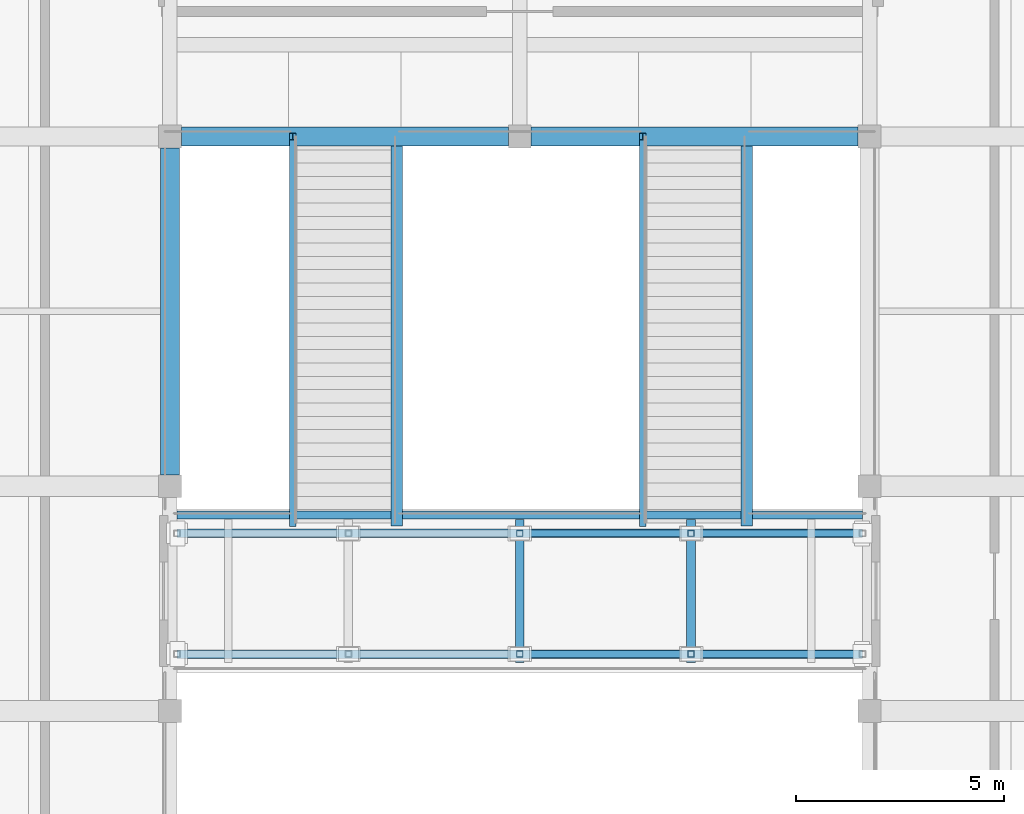
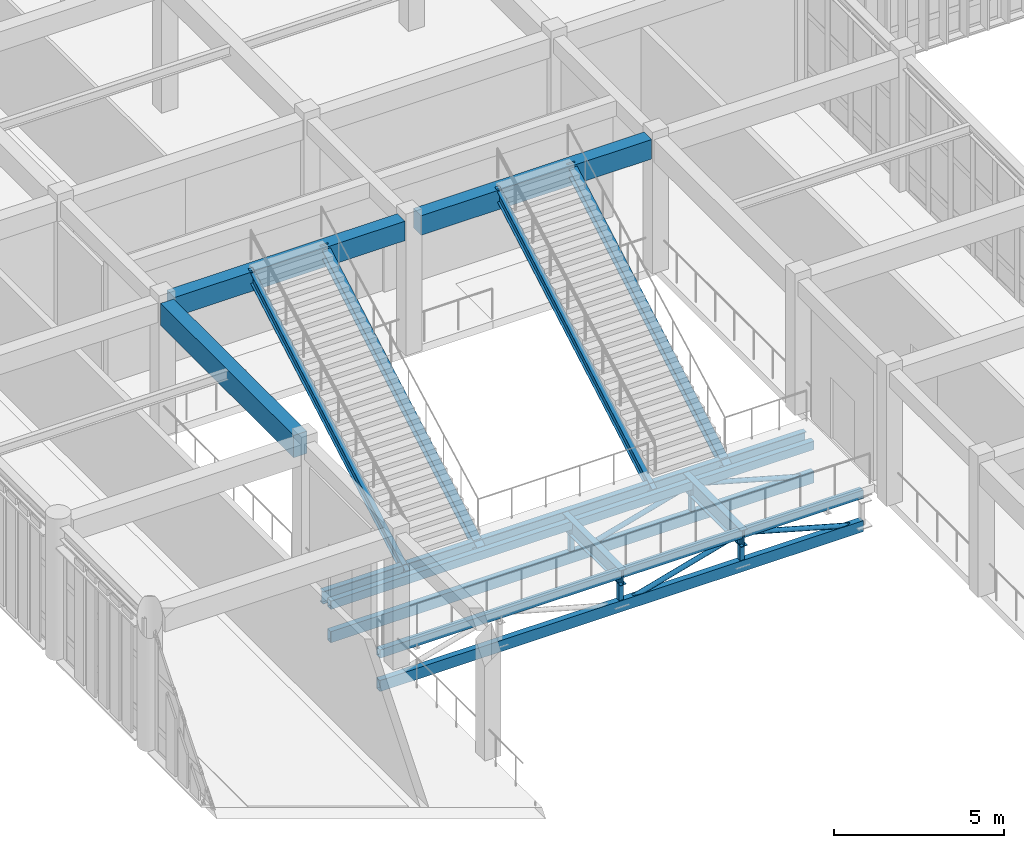
# One storey, part 33 of 106: 16 members, 6 beams.
"""IFC4 building model written with IfcOpenShell, lengths in metres."""

import ifcopenshell
import ifcopenshell.guid

model = None  # the IFC model being written
_history = None  # IfcOwnerHistory: only IFC2X3 demands one
_inside = {}  # id of a spatial element -> (the spatial element, [elements in it])
_under = {}  # id of a project, library or spatial element -> (it, [spatial elements below it])
_declared = {}  # id of a project -> (the project, [libraries it declares])
_typed = {}  # id of a type object -> (the type object, [elements of that type])
_made_of = {}  # id of a material, layer set ... -> (it, [elements and type objects made of it])


def new_model(schema):
    """Start an empty IFC model of exactly this schema.

    Asked for "IFC4X3", IfcOpenShell would pick the latest addendum, in which some entities
    have other attributes; the version numbers below select the first issue.
    IFC2X3 requires an IfcOwnerHistory on every rooted entity: one is made here for all.
    """
    global model, _history
    if schema == "IFC4X3":
        model = ifcopenshell.file(schema_version=(4, 3, 0, 0))
    else:
        model = ifcopenshell.file(schema=schema)
    _inside.clear()
    _under.clear()
    _declared.clear()
    _typed.clear()
    _made_of.clear()
    _history = None
    if model.schema == "IFC2X3":
        org = make("IfcOrganization", Name="unknown")
        user = make(
            "IfcPersonAndOrganization",
            ThePerson=make("IfcPerson", FamilyName="unknown"),
            TheOrganization=org,
        )
        app = make(
            "IfcApplication",
            ApplicationDeveloper=org,
            Version="unknown",
            ApplicationFullName="unknown",
            ApplicationIdentifier="unknown",
        )
        _history = make(
            "IfcOwnerHistory",
            OwningUser=user,
            OwningApplication=app,
            ChangeAction="ADDED",
            CreationDate=0,
        )
    return model


def make(cls, **values):
    """One entity of the class cls with the attributes given. An attribute that is None is left unset."""
    return model.create_entity(
        cls, **{name: value for name, value in values.items() if value is not None}
    )


def rooted(cls, **values):
    """An entity with a GlobalId (a new one), such as an element, a storey or a relation."""
    return make(cls, GlobalId=ifcopenshell.guid.new(), OwnerHistory=_history, **values)


def si_unit(unit_type, name, prefix=None):
    """IfcSIUnit, for example si_unit("LENGTHUNIT", "METRE", prefix="MILLI")."""
    return make("IfcSIUnit", UnitType=unit_type, Prefix=prefix, Name=name)


def assignment(units):
    """IfcUnitAssignment: the units of a project."""
    return None if units is None else make("IfcUnitAssignment", Units=units)


def point(xyz):
    """IfcCartesianPoint."""
    return None if xyz is None else make("IfcCartesianPoint", Coordinates=xyz)


def direction(xyz):
    """IfcDirection."""
    return None if xyz is None else make("IfcDirection", DirectionRatios=xyz)


def frame(location, z_axis=None, x_axis=None):
    """IfcAxis2Placement3D, a coordinate frame: its origin and axes. An axis left out is left unset."""
    return make(
        "IfcAxis2Placement3D",
        Location=point(location),
        Axis=direction(z_axis),
        RefDirection=direction(x_axis),
    )


def frame_2d(location, x_axis=None):
    """IfcAxis2Placement2D, a coordinate frame in the plane: its origin and x axis."""
    return make(
        "IfcAxis2Placement2D", Location=point(location), RefDirection=direction(x_axis)
    )


def origin():
    """The frame at (0, 0, 0) with its axes left unset."""
    return frame((0.0, 0.0, 0.0))


def origin_2d():
    """The frame at (0, 0) in the plane with its x axis left unset."""
    return frame_2d((0.0, 0.0))


def place(relative_to, where):
    """IfcLocalPlacement: puts the frame where relative to a parent placement (None: the world)."""
    return make(
        "IfcLocalPlacement", PlacementRelTo=relative_to, RelativePlacement=where
    )


def context(
    kind, dimensions, precision=None, world=None, true_north=None, identifier=None
):
    """IfcGeometricRepresentationContext, for example the 3D "Model" context."""
    return make(
        "IfcGeometricRepresentationContext",
        ContextIdentifier=identifier,
        ContextType=kind,
        CoordinateSpaceDimension=dimensions,
        Precision=precision,
        WorldCoordinateSystem=world,
        TrueNorth=true_north,
    )


def subcontext(parent, identifier, kind, view, scale=None):
    """IfcGeometricRepresentationSubContext, for example "Body" below "Model"."""
    return make(
        "IfcGeometricRepresentationSubContext",
        ContextIdentifier=identifier,
        ContextType=kind,
        ParentContext=parent,
        TargetScale=scale,
        TargetView=view,
    )


def project(units=None, contexts=None):
    """IfcProject with its units and contexts."""
    return rooted(
        "IfcProject",
        Name="project",
        RepresentationContexts=contexts,
        UnitsInContext=assignment(units),
    )


def spatial(cls, under=None, at=None, **own):
    """A site, building, storey or space (cls), placed at a placement, below another one or the project."""
    s = rooted(cls, ObjectPlacement=at, **own)
    if under is not None:
        _under.setdefault(under.id(), (under, []))[1].append(s)
    return s


def profile(cls, at=None, kind="AREA", **sizes):
    """A parametric profile (cls). Its sizes go by their IFC names, for example OverallWidth=200.0."""
    return make(cls, ProfileType=kind, Position=at, **sizes)


def rectangle(**sizes):
    """IfcRectangleProfileDef."""
    return profile("IfcRectangleProfileDef", **sizes)


def hollow_rectangle(**sizes):
    """IfcRectangleHollowProfileDef."""
    return profile("IfcRectangleHollowProfileDef", **sizes)


def hollow_circle(**sizes):
    """IfcCircleHollowProfileDef."""
    return profile("IfcCircleHollowProfileDef", **sizes)


def i_section(**sizes):
    """IfcIShapeProfileDef."""
    return profile("IfcIShapeProfileDef", **sizes)


def extrude(swept, where, along, depth):
    """IfcExtrudedAreaSolid: the profile swept, set in the frame where, extruded along a direction by depth."""
    return make(
        "IfcExtrudedAreaSolid",
        SweptArea=swept,
        Position=where,
        ExtrudedDirection=direction(along),
        Depth=depth,
    )


def shape(context_of_items, identifier, shape_type, items):
    """IfcShapeRepresentation: the items that make up one representation, for example the "Body"."""
    return make(
        "IfcShapeRepresentation",
        ContextOfItems=context_of_items,
        RepresentationIdentifier=identifier,
        RepresentationType=shape_type,
        Items=items,
    )


def material(Name=None, Category=None):
    """IfcMaterial."""
    return make("IfcMaterial", Name=Name, Category=Category)


def material_profile(
    of_material, cross_section, Name=None, Category=None, Priority=None
):
    """IfcMaterialProfile: a cross section and its material."""
    return make(
        "IfcMaterialProfile",
        Name=Name,
        Material=of_material,
        Profile=cross_section,
        Priority=Priority,
        Category=Category,
    )


def profile_set(profiles, Name=None, composite=None):
    """IfcMaterialProfileSet."""
    return make(
        "IfcMaterialProfileSet",
        Name=Name,
        MaterialProfiles=profiles,
        CompositeProfile=composite,
    )


def made_of(thing, what):
    """Note that an element or type object is made of a material, layer set ...; save() writes the relation."""
    if what is not None:
        _made_of.setdefault(what.id(), (what, []))[1].append(thing)
    return thing


def type_object(cls, material=None, **own):
    """A type object (cls), such as IfcWallType, which elements share."""
    return made_of(rooted(cls, **own), material)


def element(
    cls,
    number,
    at=None,
    inside=None,
    cuts=None,
    type_object=None,
    material=None,
    context=None,
    identifier="Body",
    shape_type=None,
    held_by="IfcProductDefinitionShape",
    body=None,
    shapes=None,
    **own,
):
    """One element of the class cls, such as IfcWall. Its Tag is "e" and its number.

    at: its placement. inside: the storey or other place that contains it. cuts: it is an
    opening in that element (IfcRelVoidsElement). A single representation is given by context,
    identifier, shape_type and body (its items); several are given by shapes. held_by: the class
    of the entity that holds the representations. save() writes the other relations.
    """
    e = rooted(cls, Tag="e%d" % number, ObjectPlacement=at, **own)
    if body is not None:
        shapes = [shape(context, identifier, shape_type, body)]
    if shapes is not None:
        e.Representation = make(held_by, Representations=shapes)
    if inside is not None:
        _inside.setdefault(inside.id(), (inside, []))[1].append(e)
    if cuts is not None:
        rooted(
            "IfcRelVoidsElement", RelatingBuildingElement=cuts, RelatedOpeningElement=e
        )
    if type_object is not None:
        _typed.setdefault(type_object.id(), (type_object, []))[1].append(e)
    return made_of(e, material)


def aggregate(whole, parts):
    """IfcRelAggregates: a whole, such as a stair, and the parts it consists of."""
    return rooted("IfcRelAggregates", RelatingObject=whole, RelatedObjects=parts)


def save(model, path):
    """Write the relations noted so far, then the file.

    IfcRelAggregates (storeys below a building ...), IfcRelContainedInSpatialStructure (elements
    in a storey), IfcRelDefinesByType, IfcRelAssociatesMaterial and IfcRelDeclares: one each for
    every whole, place, type object, material and project.
    """
    for whole, parts in _under.values():
        aggregate(whole, parts)
    for where, things in _inside.values():
        rooted(
            "IfcRelContainedInSpatialStructure",
            RelatedElements=things,
            RelatingStructure=where,
        )
    for kind, things in _typed.values():
        rooted("IfcRelDefinesByType", RelatedObjects=things, RelatingType=kind)
    for what, things in _made_of.values():
        rooted("IfcRelAssociatesMaterial", RelatedObjects=things, RelatingMaterial=what)
    for by, libraries in _declared.values():
        rooted("IfcRelDeclares", RelatingContext=by, RelatedDefinitions=libraries)
    model.write(path)


model = new_model("IFC4")

# Units and contexts
model_context = context("Model", 3, precision=1e-05, world=origin(), true_north=direction((0.0, 1.0)))
body_context = subcontext(model_context, "Body", "Model", "MODEL_VIEW")
ifc_project = project(units=[si_unit("LENGTHUNIT", "METRE"), si_unit("AREAUNIT", "SQUARE_METRE"), si_unit("VOLUMEUNIT", "CUBIC_METRE"), si_unit("PLANEANGLEUNIT", "RADIAN"), si_unit("MASSUNIT", "GRAM", prefix="KILO")], contexts=[model_context])

# Site, building, storey
site_placement = place(None, origin())
site = spatial("IfcSite", under=ifc_project, at=site_placement, CompositionType="ELEMENT")
building_placement = place(site_placement, origin())
building = spatial("IfcBuilding", under=site, at=building_placement, Name="Krzemoval Escarpment Law Courts", CompositionType="ELEMENT")
storey_placement = place(building_placement, frame((0.0, 0.0, 5.10009765625)))
storey = spatial("IfcBuildingStorey", under=building, at=storey_placement, Name="L01", CompositionType="ELEMENT", Elevation=5.10009765625)

# Beams
ifc_material_1 = material(Name="Concrete C40/50", Category="concrete")
ifc_material_profile_1 = material_profile(ifc_material_1, rectangle(XDim=0.449951171875, YDim=0.699951171875, at=origin_2d()), Name="RCB 450x700")
ifc_profile_set_1 = profile_set([ifc_material_profile_1], Name="Concrete C40/50")
beam_type_1 = type_object("IfcBeamType", Name="BM-RC-450x700", PredefinedType="BEAM", material=ifc_profile_set_1)
beam_1_placement = place(storey_placement, frame((17.074951171875, 93.60009765625, 4.469970703125), z_axis=(1.0, 0.0, 0.0), x_axis=(0.0, 1.0, 0.0)))
element("IfcBeam", 1, at=beam_1_placement, inside=storey, type_object=beam_type_1, Name="Beam FG-L01-1289", PredefinedType="BEAM", context=body_context, shape_type="SweptSolid", body=[
    extrude(rectangle(XDim=0.449951171875, YDim=0.699951171875, at=origin_2d()), origin(), (0.0, 0.0, 1.0), 7.85009765625),
])
beam_2_placement = place(storey_placement, frame((25.47509765625, 93.60009765625, 4.469970703125), z_axis=(1.0, 0.0, 0.0), x_axis=(0.0, 1.0, 0.0)))
element("IfcBeam", 2, at=beam_2_placement, inside=storey, type_object=beam_type_1, Name="Beam FG-L01-1290", PredefinedType="BEAM", context=body_context, shape_type="SweptSolid", body=[
    extrude(rectangle(XDim=0.449951171875, YDim=0.699951171875, at=origin_2d()), origin(), (0.0, 0.0, 1.0), 7.849853515625),
])
ifc_material_2 = material(Name="Concrete C40/50", Category="concrete")
ifc_material_profile_2 = material_profile(ifc_material_2, rectangle(XDim=0.449951171875, YDim=0.800048828125, at=origin_2d()), Name="RCB 450x800")
ifc_profile_set_2 = profile_set([ifc_material_profile_2], Name="Concrete C40/50")
beam_type_2 = type_object("IfcBeamType", Name="BM-RC-450x800", PredefinedType="BEAM", material=ifc_profile_set_2)
beam_3_placement = place(storey_placement, frame((16.800048828125, 85.47509765625, 4.419921875), z_axis=(0.0, 1.0, 0.0), x_axis=(-1.0, 0.0, 0.0)))
element("IfcBeam", 3, at=beam_3_placement, inside=storey, type_object=beam_type_2, Name="Beam FG-L01-1405", PredefinedType="BEAM", context=body_context, shape_type="SweptSolid", body=[
    extrude(rectangle(XDim=0.449951171875, YDim=0.800048828125, at=origin_2d()), origin(), (0.0, 0.0, 1.0), 7.849853515625),
])
ifc_material_3 = material(Name="Steel S355", Category="steel")
ifc_material_profile_3 = material_profile(ifc_material_3, i_section(OverallWidth=0.18994140625, OverallDepth=0.449951171875, WebThickness=0.009521484375, FlangeThickness=0.0146484375, at=origin_2d()), Name="IPE 450")
ifc_profile_set_3 = profile_set([ifc_material_profile_3], Name="Steel S355")
beam_type_3 = type_object("IfcBeamType", Name="BM-S355-IPE450", PredefinedType="BEAM", material=ifc_profile_set_3)
beam_4_placement = place(storey_placement, frame((16.969970703125, 84.510009765625, -0.525146484375), z_axis=(1.0, 0.0, 0.0), x_axis=(0.0, 1.0, 0.0)))
element("IfcBeam", 4, at=beam_4_placement, inside=storey, type_object=beam_type_3, Name="Sky-Bridge Stair Header Beam BSB-BRG-N-L01", PredefinedType="BEAM", context=body_context, shape_type="SweptSolid", body=[
    extrude(i_section(OverallWidth=0.18994140625, OverallDepth=0.449951171875, WebThickness=0.009521484375, FlangeThickness=0.0146484375, at=origin_2d()), origin(), (0.0, 0.0, 1.0), 16.4599609375),
])
ifc_material_4 = material(Name="Steel S355", Category="steel")
ifc_material_profile_4 = material_profile(ifc_material_4, i_section(OverallWidth=0.2099609375, OverallDepth=0.550048828125, WebThickness=0.010986328125, FlangeThickness=0.01708984375, at=origin_2d()), Name="IPE 550")
ifc_profile_set_4 = profile_set([ifc_material_profile_4], Name="Steel S355")
beam_type_4 = type_object("IfcBeamType", Name="BM-S355-IPE550", PredefinedType="BEAM", material=ifc_profile_set_4)
beam_5_placement = place(storey_placement, frame((25.199951171875, 80.969970703125, -0.5751953125), z_axis=(0.0, 1.0, 0.0), x_axis=(-1.0, 0.0, 0.0)))
element("IfcBeam", 5, at=beam_5_placement, inside=storey, type_object=beam_type_4, Name="Bridge Cross Beam BBMN-L01-03", PredefinedType="BEAM", context=body_context, shape_type="SweptSolid", body=[
    extrude(i_section(OverallWidth=0.2099609375, OverallDepth=0.550048828125, WebThickness=0.010986328125, FlangeThickness=0.01708984375, at=origin_2d()), origin(), (0.0, 0.0, 1.0), 3.429931640625),
])
ifc_material_5 = material(Name="Steel S355", Category="steel")
ifc_material_profile_5 = material_profile(ifc_material_5, i_section(OverallWidth=0.219970703125, OverallDepth=0.60009765625, WebThickness=0.011962890625, FlangeThickness=0.01904296875, at=origin_2d()), Name="IPE 600")
ifc_profile_set_5 = profile_set([ifc_material_profile_5], Name="Steel S355")
beam_type_5 = type_object("IfcBeamType", Name="BM-S355-IPE600", PredefinedType="BEAM", material=ifc_profile_set_5)
beam_6_placement = place(storey_placement, frame((29.31494140625, 80.969970703125, -0.60009765625), z_axis=(0.0, 1.0, 0.0), x_axis=(-1.0, 0.0, 0.0)))
element("IfcBeam", 6, at=beam_6_placement, inside=storey, type_object=beam_type_5, Name="Bridge Cross Beam BBMN-L01-04", PredefinedType="BEAM", context=body_context, shape_type="SweptSolid", body=[
    extrude(i_section(OverallWidth=0.219970703125, OverallDepth=0.60009765625, WebThickness=0.011962890625, FlangeThickness=0.01904296875, at=origin_2d()), origin(), (0.0, 0.0, 1.0), 3.429931640625),
])

# Members
ifc_material_6 = material(Name="Steel S355", Category="steel")
ifc_material_profile_6 = material_profile(ifc_material_6, hollow_circle(Radius=0.084228515625, WallThickness=0.008056640625, at=origin_2d()), Name="CHS 168.3x8")
ifc_profile_set_6 = profile_set([ifc_material_profile_6], Name="Steel S355")
member_type_1 = type_object("IfcMemberType", Name="MBR-BRC-CHS168", PredefinedType="BRACE", material=ifc_profile_set_6)
for number, where, z_axis, x_axis, name in (
    (7, (25.199951171875, 81.169921875, -1.670166015625), (0.963088538909, 0.0, 0.269184817965), (0.0, 1.0, 0.0), "Bridge Truss Diagonal BBR-0165"),
    (8, (29.31494140625, 81.169921875, -0.52001953125), (0.963088538909, 0.0, -0.269184817965), (0.0, 1.0, 0.0), "Bridge Truss Diagonal BBR-0166"),
    (9, (25.199951171875, 84.070068359375, -1.670166015625), (0.963088538909, 0.0, 0.269184817965), (0.0, 1.0, 0.0), "Bridge Truss Diagonal BBR-0176"),
    (10, (29.31494140625, 84.070068359375, -0.52001953125), (0.963088538909, 0.0, -0.269184817965), (0.0, 1.0, 0.0), "Bridge Truss Diagonal BBR-0177"),
):
    element("IfcMember", number, at=place(storey_placement, frame(where, z_axis=z_axis, x_axis=x_axis)), inside=storey, type_object=member_type_1, Name=name, PredefinedType="BRACE", context=body_context, shape_type="SweptSolid", body=[
        extrude(hollow_circle(Radius=0.084228515625, WallThickness=0.008056640625, at=origin_2d()), origin(), (0.0, 0.0, 1.0), 4.272705078125),
    ])
ifc_material_7 = material(Name="Steel S355", Category="steel")
ifc_material_profile_7 = material_profile(ifc_material_7, hollow_rectangle(XDim=0.199951171875, YDim=0.300048828125, WallThickness=0.012451171875, at=origin_2d()), Name="RHS 300x200x12.5")
ifc_profile_set_7 = profile_set([ifc_material_profile_7], Name="Steel S355")
member_type_2 = type_object("IfcMemberType", Name="MBR-CHD-RHS300", PredefinedType="CHORD", material=ifc_profile_set_7)
for number, where, z_axis, x_axis, name in (
    (11, (16.969970703125, 81.169921875, -0.52001953125), (1.0, 0.0, 0.0), (0.0, 1.0, 0.0), "Bridge Truss Chord BTC-0162"),
    (12, (16.969970703125, 84.070068359375, -0.52001953125), (1.0, 0.0, 0.0), (0.0, 1.0, 0.0), "Bridge Truss Chord BTC-0173"),
):
    element("IfcMember", number, at=place(storey_placement, frame(where, z_axis=z_axis, x_axis=x_axis)), inside=storey, type_object=member_type_2, Name=name, PredefinedType="CHORD", context=body_context, shape_type="SweptSolid", body=[
        extrude(hollow_rectangle(XDim=0.199951171875, YDim=0.300048828125, WallThickness=0.012451171875, at=origin_2d()), origin(), (0.0, 0.0, 1.0), 16.4599609375),
    ])
ifc_material_8 = material(Name="Steel S355", Category="steel")
ifc_material_profile_8 = material_profile(ifc_material_8, hollow_rectangle(XDim=0.199951171875, YDim=0.39990234375, WallThickness=0.012451171875, at=origin_2d()), Name="RHS 400x200x12.5")
ifc_profile_set_8 = profile_set([ifc_material_profile_8], Name="Steel S355")
member_type_3 = type_object("IfcMemberType", Name="MBR-CHD-RHS400", PredefinedType="CHORD", material=ifc_profile_set_8)
for number, where, z_axis, x_axis, name in (
    (13, (16.969970703125, 81.169921875, -1.670166015625), (1.0, 0.0, 0.0), (0.0, 1.0, 0.0), "Bridge Truss Chord BTC-0161"),
    (14, (16.969970703125, 84.070068359375, -1.670166015625), (1.0, 0.0, 0.0), (0.0, 1.0, 0.0), "Bridge Truss Chord BTC-0172"),
):
    element("IfcMember", number, at=place(storey_placement, frame(where, z_axis=z_axis, x_axis=x_axis)), inside=storey, type_object=member_type_3, Name=name, PredefinedType="CHORD", context=body_context, shape_type="SweptSolid", body=[
        extrude(hollow_rectangle(XDim=0.199951171875, YDim=0.39990234375, WallThickness=0.012451171875, at=origin_2d()), origin(), (0.0, 0.0, 1.0), 16.4599609375),
    ])
ifc_material_9 = material(Name="Steel S355", Category="steel")
ifc_material_profile_9 = material_profile(ifc_material_9, i_section(OverallWidth=0.280029296875, OverallDepth=0.280029296875, WebThickness=0.010498046875, FlangeThickness=0.01806640625, at=origin_2d()), Name="HEB 280")
ifc_profile_set_9 = profile_set([ifc_material_profile_9], Name="Steel S355")
member_type_4 = type_object("IfcMemberType", Name="MBR-STG-HEB280", PredefinedType="STRINGER", material=ifc_profile_set_9)
for number, where, z_axis, x_axis, name in (
    (15, (22.25, 84.320068359375, -0.550048828125), (0.0, 0.869566185126, 0.493816412936), (-1.0, 0.0, 0.0), "Stair Stringer STG-0272"),
    (16, (30.64990234375, 84.320068359375, -0.550048828125), (0.0, 0.869566185126, 0.493816412936), (-1.0, 0.0, 0.0), "Stair Stringer STG-0276"),
):
    element("IfcMember", number, at=place(storey_placement, frame(where, z_axis=z_axis, x_axis=x_axis)), inside=storey, type_object=member_type_4, Name=name, PredefinedType="STRINGER", context=body_context, shape_type="SweptSolid", body=[
        extrude(i_section(OverallWidth=0.280029296875, OverallDepth=0.280029296875, WebThickness=0.010498046875, FlangeThickness=0.01806640625, at=origin_2d()), origin(), (0.0, 0.0, 1.0), 10.672119140625),
    ])
ifc_material_10 = material(Name="Steel S355", Category="steel")
ifc_material_profile_10 = material_profile(ifc_material_10, i_section(OverallWidth=0.159912109375, OverallDepth=0.330078125, WebThickness=0.007568359375, FlangeThickness=0.011474609375, at=origin_2d()), Name="IPE 330")
ifc_profile_set_10 = profile_set([ifc_material_profile_10], Name="Steel S355")
member_type_5 = type_object("IfcMemberType", Name="MBR-STG-IPE330", PredefinedType="STRINGER", material=ifc_profile_set_10)
for number, where, z_axis, x_axis, name in (
    (17, (19.75, 84.320068359375, -0.550048828125), (0.0, 0.869566185126, 0.493816412936), (-1.0, 0.0, 0.0), "Stair Stringer STG-0271"),
    (18, (28.14990234375, 84.320068359375, -0.550048828125), (0.0, 0.869566185126, 0.493816412936), (-1.0, 0.0, 0.0), "Stair Stringer STG-0275"),
):
    element("IfcMember", number, at=place(storey_placement, frame(where, z_axis=z_axis, x_axis=x_axis)), inside=storey, type_object=member_type_5, Name=name, PredefinedType="STRINGER", context=body_context, shape_type="SweptSolid", body=[
        extrude(i_section(OverallWidth=0.159912109375, OverallDepth=0.330078125, WebThickness=0.007568359375, FlangeThickness=0.011474609375, at=origin_2d()), origin(), (0.0, 0.0, 1.0), 10.672119140625),
    ])
ifc_material_11 = material(Name="Steel S355", Category="steel")
ifc_material_profile_11 = material_profile(ifc_material_11, hollow_rectangle(XDim=0.14990234375, YDim=0.14990234375, WallThickness=0.008056640625, at=origin_2d()), Name="SHS 150x150x8")
ifc_profile_set_11 = profile_set([ifc_material_profile_11], Name="Steel S355")
member_type_6 = type_object("IfcMemberType", Name="MBR-STR-SHS150", PredefinedType="STRUT", material=ifc_profile_set_11)
for number, where, z_axis, x_axis, name in (
    (19, (25.199951171875, 81.169921875, -1.670166015625), (0.0, 0.0, 1.0), (1.0, 0.0, 0.0), "Bridge Truss Strut BST-0169"),
    (20, (29.31494140625, 81.169921875, -1.670166015625), (0.0, 0.0, 1.0), (1.0, 0.0, 0.0), "Bridge Truss Strut BST-0170"),
    (21, (25.199951171875, 84.070068359375, -1.670166015625), (0.0, 0.0, 1.0), (1.0, 0.0, 0.0), "Bridge Truss Strut BST-0180"),
    (22, (29.31494140625, 84.070068359375, -1.670166015625), (0.0, 0.0, 1.0), (1.0, 0.0, 0.0), "Bridge Truss Strut BST-0181"),
):
    element("IfcMember", number, at=place(storey_placement, frame(where, z_axis=z_axis, x_axis=x_axis)), inside=storey, type_object=member_type_6, Name=name, PredefinedType="STRUT", context=body_context, shape_type="SweptSolid", body=[
        extrude(hollow_rectangle(XDim=0.14990234375, YDim=0.14990234375, WallThickness=0.008056640625, at=origin_2d()), origin(), (0.0, 0.0, 1.0), 1.150146484375),
    ])

save(model, "model.ifc")
